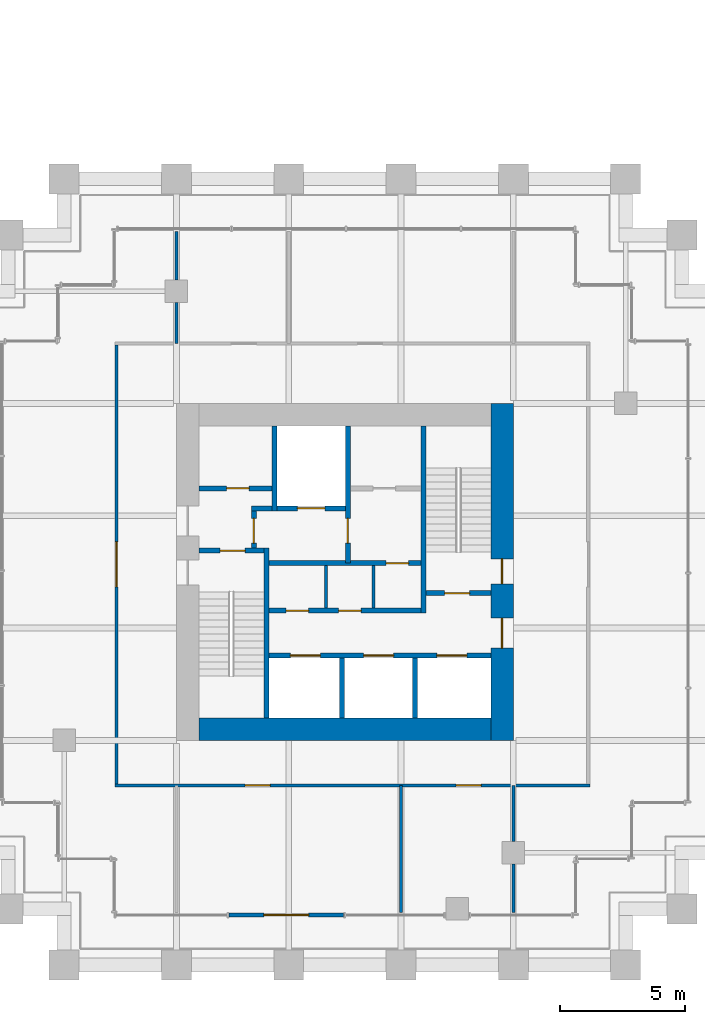
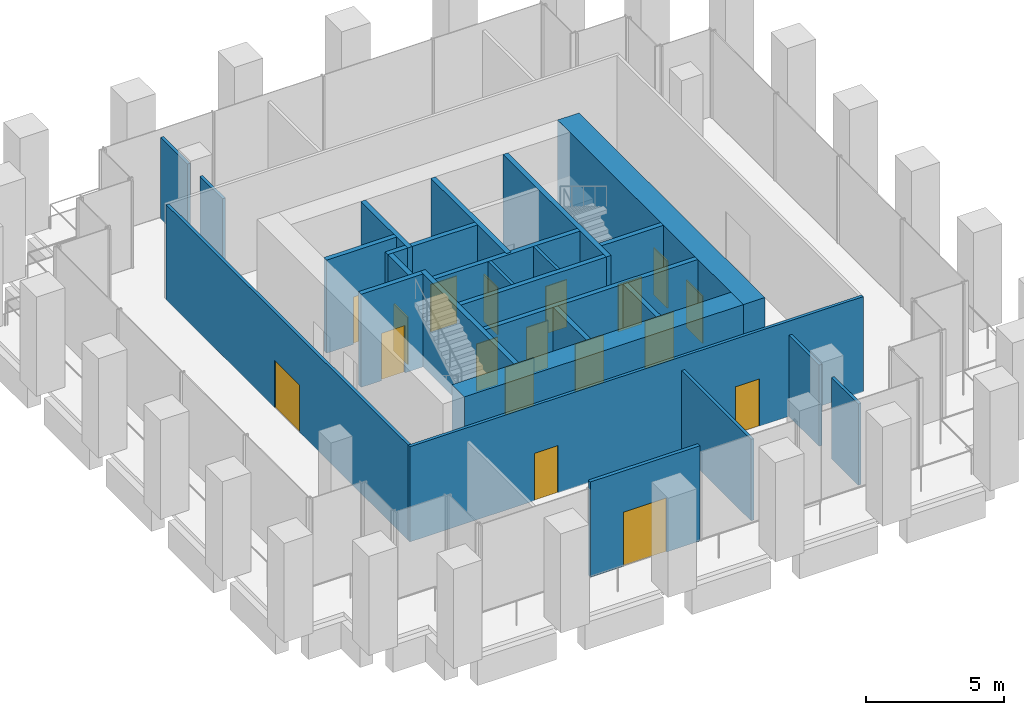
# One storey, part 32 of 36: 27 walls, 18 doors, 18 openings.
"""IFC4 building model written with IfcOpenShell, lengths in metres."""

from ifc_helpers import new_model, si_unit, direction, frame, frame_2d, origin, place, context, subcontext, project, spatial, rectangle, extrude, material, layer, layer_set, type_object, element, fill, save


model = new_model("IFC4")

# Units and contexts
model_context = context("Model", 3, precision=1e-05, world=origin(), true_north=direction((0.0, 1.0)))
body_context = subcontext(model_context, "Body", "Model", "MODEL_VIEW")
ifc_project = project(units=[si_unit("LENGTHUNIT", "METRE"), si_unit("AREAUNIT", "SQUARE_METRE"), si_unit("VOLUMEUNIT", "CUBIC_METRE"), si_unit("PLANEANGLEUNIT", "RADIAN"), si_unit("MASSUNIT", "GRAM", prefix="KILO")], contexts=[model_context])

# Site, building, storey
site_placement = place(None, origin())
site = spatial("IfcSite", under=ifc_project, at=site_placement, CompositionType="ELEMENT")
building_placement = place(site_placement, origin())
building = spatial("IfcBuilding", under=site, at=building_placement, Name="Altepetl Exchange Towers", CompositionType="ELEMENT")
storey_placement = place(building_placement, frame((0.0, 0.0, 29.800048828125)))
storey = spatial("IfcBuildingStorey", under=building, at=storey_placement, Name="L06", CompositionType="ELEMENT", Elevation=29.800048828125)

# Wall, openings, doors
ifc_material_1 = material(Name="Concrete C70/85", Category="concrete")
ifc_layer_1 = layer(ifc_material_1, 0.89990234375)
ifc_layer_set_1 = layer_set([ifc_layer_1], Name="Concrete C70/85")
wall_type_1 = type_object("IfcWallType", Name="Core wall 900 reinforced concrete", PredefinedType="SHEAR", material=ifc_layer_set_1)
wall_1_placement = place(storey_placement, frame((116.550048828125, 36.0, 0.0), z_axis=(0.0, 0.0, 1.0), x_axis=(0.0, 1.0, 0.0)))
wall_1 = element("IfcWall", 1, at=wall_1_placement, inside=storey, type_object=wall_type_1, Name="wall:B:L06:K-coreE", PredefinedType="SHEAR", context=body_context, shape_type="SweptSolid", body=[
    extrude(rectangle(XDim=13.5, YDim=0.89990234375, at=frame_2d((6.75, 0.0))), origin(), (0.0, 0.0, 1.0), 4.125),
])
opening_1_placement = place(wall_1_placement, frame((3.699951171875, 0.0, 0.0)))
opening_1 = element("IfcOpeningElement", 2, at=opening_1_placement, cuts=wall_1, Name="Opening L06.B61", PredefinedType="OPENING", context=body_context, shape_type="SweptSolid", body=[
    extrude(rectangle(XDim=1.199951171875, YDim=2.10009765625, at=frame_2d((0.60009765625, 1.050048828125))), frame((0.0, 0.4599609375, 0.0), z_axis=(0.0, -1.0, 0.0), x_axis=(1.0, 0.0, 0.0)), (0.0, 0.0, 1.0), 0.919921875),
])
opening_2_placement = place(wall_1_placement, frame((6.27490234375, 0.0, 0.0)))
opening_2 = element("IfcOpeningElement", 3, at=opening_2_placement, cuts=wall_1, Name="Opening L06.B65", PredefinedType="OPENING", context=body_context, shape_type="SweptSolid", body=[
    extrude(rectangle(XDim=1.0, YDim=2.10009765625, at=frame_2d((0.5, 1.050048828125))), frame((0.0, 0.4599609375, 0.0), z_axis=(0.0, -1.0, 0.0), x_axis=(1.0, 0.0, 0.0)), (0.0, 0.0, 1.0), 0.919921875),
])
ifc_material_2 = material(Name="Steel and timber fire door", Category="steel")
door_type_1 = type_object("IfcDoorType", Name="Fire door 1000 x 2100 stair and lobby", OperationType="SINGLE_SWING_LEFT", PredefinedType="DOOR", material=ifc_material_2)
door_1_placement = place(opening_2_placement, origin())
door_1 = element("IfcDoor", 4, at=door_1_placement, inside=storey, type_object=door_type_1, Name="door:B:L06:K-dS2x", OperationType="SINGLE_SWING_LEFT", OverallHeight=2.10009765625, OverallWidth=1.0, PredefinedType="DOOR", context=body_context, shape_type="SweptSolid", body=[
    extrude(rectangle(XDim=1.0, YDim=2.10009765625, at=frame_2d((0.5, 1.050048828125))), frame((0.0, 0.02490234375, 0.0), z_axis=(0.0, -1.0, 0.0), x_axis=(1.0, 0.0, 0.0)), (0.0, 0.0, 1.0), 0.050048828125),
])
fill(opening_2, door_1)
door_type_2 = type_object("IfcDoorType", Name="Fire door 1200 x 2100 lobby entry", OperationType="SINGLE_SWING_LEFT", PredefinedType="DOOR", material=ifc_material_2)
door_2_placement = place(opening_1_placement, origin())
door_2 = element("IfcDoor", 5, at=door_2_placement, inside=storey, type_object=door_type_2, Name="door:B:L06:K-dLSE", OperationType="SINGLE_SWING_RIGHT", OverallHeight=2.10009765625, OverallWidth=1.199951171875, PredefinedType="DOOR", context=body_context, shape_type="SweptSolid", body=[
    extrude(rectangle(XDim=1.199951171875, YDim=2.10009765625, at=frame_2d((0.60009765625, 1.050048828125))), frame((0.0, 0.02490234375, 0.0), z_axis=(0.0, -1.0, 0.0), x_axis=(1.0, 0.0, 0.0)), (0.0, 0.0, 1.0), 0.050048828125),
])
fill(opening_1, door_2)

# Wall
wall_2_placement = place(storey_placement, frame((104.39990234375, 36.449951171875, 0.0)))
element("IfcWall", 6, at=wall_2_placement, inside=storey, type_object=wall_type_1, Name="wall:B:L06:K-coreS", PredefinedType="SHEAR", context=body_context, shape_type="SweptSolid", body=[
    extrude(rectangle(XDim=11.7001953125, YDim=0.89990234375, at=frame_2d((5.85009765625, 0.0))), origin(), (0.0, 0.0, 1.0), 4.125),
])

# Wall, opening, door
ifc_material_3 = material(Name="Aluminium composite cladding", Category="aluminium")
ifc_layer_2 = layer(ifc_material_3, 0.14990234375)
ifc_layer_set_2 = layer_set([ifc_layer_2], Name="Aluminium composite cladding")
wall_type_2 = type_object("IfcWallType", Name="Infill wall 150 aluminium panel", PredefinedType="SOLIDWALL", material=ifc_layer_set_2)
wall_3_placement = place(storey_placement, frame((105.60009765625, 29.0, 0.0)))
wall_3 = element("IfcWall", 7, at=wall_3_placement, inside=storey, type_object=wall_type_2, Name="Loggia door bay wall", PredefinedType="SOLIDWALL", context=body_context, shape_type="SweptSolid", body=[
    extrude(rectangle(XDim=4.599853515625, YDim=0.14990234375, at=frame_2d((2.2998046875, 0.0))), origin(), (0.0, 0.0, 1.0), 4.224853515625),
])
opening_3_placement = place(wall_3_placement, frame((1.39990234375, 0.0, 0.0)))
opening_3 = element("IfcOpeningElement", 8, at=opening_3_placement, cuts=wall_3, Name="Opening L06.B90", PredefinedType="OPENING", context=body_context, shape_type="SweptSolid", body=[
    extrude(rectangle(XDim=1.800048828125, YDim=2.39990234375, at=frame_2d((0.89990234375, 1.199951171875))), frame((0.0, 0.0849609375, 0.0), z_axis=(0.0, -1.0, 0.0), x_axis=(1.0, 0.0, 0.0)), (0.0, 0.0, 1.0), 0.169921875),
])
ifc_material_4 = material(Name="Aluminium 6063-T6 and glass", Category="aluminium")
door_type_3 = type_object("IfcDoorType", Name="Glazed door pair 1800x2400", OperationType="DOUBLE_DOOR_DOUBLE_SWING", PredefinedType="NOTDEFINED", material=ifc_material_4)
door_3_placement = place(opening_3_placement, frame((1.800048828125, 0.0, 0.0), x_axis=(-1.0, 0.0, 0.0)))
door_3 = element("IfcDoor", 9, at=door_3_placement, inside=storey, type_object=door_type_3, Name="Loggia door", OperationType="DOUBLE_DOOR_DOUBLE_SWING", OverallHeight=2.39990234375, OverallWidth=1.800048828125, PredefinedType="NOTDEFINED", context=body_context, shape_type="SweptSolid", body=[
    extrude(rectangle(XDim=1.800048828125, YDim=2.39990234375, at=frame_2d((0.89990234375, 1.199951171875))), frame((0.0, 0.02490234375, 0.0), z_axis=(0.0, -1.0, 0.0), x_axis=(1.0, 0.0, 0.0)), (0.0, 0.0, 1.0), 0.050048828125),
])
fill(opening_3, door_3)

# Wall
ifc_material_5 = material(Name="Concrete blockwork", Category="masonry")
ifc_layer_3 = layer(ifc_material_5, 0.199951171875)
ifc_layer_set_3 = layer_set([ifc_layer_3], Name="Concrete blockwork")
wall_type_3 = type_object("IfcWallType", Name="Lobby wall 200 blockwork", PredefinedType="PARTITIONING", material=ifc_layer_set_3)
wall_4_placement = place(storey_placement, frame((106.5, 45.300048828125, 0.0)))
element("IfcWall", 10, at=wall_4_placement, inside=storey, type_object=wall_type_3, Name="wall:B:L06:K-ffNw", PredefinedType="PARTITIONING", context=body_context, shape_type="SweptSolid", body=[
    extrude(rectangle(XDim=0.833251953125, YDim=0.199951171875, at=frame_2d((0.41650390625, 0.0))), origin(), (0.0, 0.0, 1.0), 4.125),
])

# Wall, opening, door
wall_5_placement = place(storey_placement, frame((106.60009765625, 43.699951171875, 0.0), z_axis=(0.0, 0.0, 1.0), x_axis=(0.0, 1.0, 0.0)))
wall_5 = element("IfcWall", 11, at=wall_5_placement, inside=storey, type_object=wall_type_3, Name="wall:B:L06:K-ffW", PredefinedType="PARTITIONING", context=body_context, shape_type="SweptSolid", body=[
    extrude(rectangle(XDim=1.5, YDim=0.199951171875, at=frame_2d((0.75, 0.0))), origin(), (0.0, 0.0, 1.0), 4.125),
])
opening_4_placement = place(wall_5_placement, frame((0.199951171875, 0.0, 0.0)))
opening_4 = element("IfcOpeningElement", 12, at=opening_4_placement, cuts=wall_5, Name="Opening L06.B67", PredefinedType="OPENING", context=body_context, shape_type="SweptSolid", body=[
    extrude(rectangle(XDim=1.0, YDim=2.10009765625, at=frame_2d((0.5, 1.050048828125))), frame((0.0, 0.10986328125, 0.0), z_axis=(0.0, -1.0, 0.0), x_axis=(1.0, 0.0, 0.0)), (0.0, 0.0, 1.0), 0.219970703125),
])
door_4_placement = place(opening_4_placement, frame((1.0, 0.0, 0.0), x_axis=(-1.0, 0.0, 0.0)))
door_4 = element("IfcDoor", 13, at=door_4_placement, inside=storey, type_object=door_type_1, Name="door:B:L06:K-dffW", OperationType="SINGLE_SWING_LEFT", OverallHeight=2.10009765625, OverallWidth=1.0, PredefinedType="DOOR", context=body_context, shape_type="SweptSolid", body=[
    extrude(rectangle(XDim=1.0, YDim=2.10009765625, at=frame_2d((0.5, 1.050048828125))), frame((0.0, 0.02490234375, 0.0), z_axis=(0.0, -1.0, 0.0), x_axis=(1.0, 0.0, 0.0)), (0.0, 0.0, 1.0), 0.050048828125),
])
fill(opening_4, door_4)

wall_6_placement = place(storey_placement, frame((107.199951171875, 43.10009765625, 0.0)))
wall_6 = element("IfcWall", 14, at=wall_6_placement, inside=storey, type_object=wall_type_3, Name="wall:B:L06:K-zoneN", PredefinedType="PARTITIONING", context=body_context, shape_type="SweptSolid", body=[
    extrude(rectangle(XDim=6.10009765625, YDim=0.199951171875, at=frame_2d((3.050048828125, 0.0))), origin(), (0.0, 0.0, 1.0), 4.125),
])
opening_5_placement = place(wall_6_placement, frame((4.699951171875, 0.0, 0.0)))
opening_5 = element("IfcOpeningElement", 15, at=opening_5_placement, cuts=wall_6, Name="Opening L06.B72", PredefinedType="OPENING", context=body_context, shape_type="SweptSolid", body=[
    extrude(rectangle(XDim=0.89990234375, YDim=2.10009765625, at=frame_2d((0.449951171875, 1.050048828125))), frame((0.0, 0.10986328125, 0.0), z_axis=(0.0, -1.0, 0.0), x_axis=(1.0, 0.0, 0.0)), (0.0, 0.0, 1.0), 0.219970703125),
])
door_type_4 = type_object("IfcDoorType", Name="Fire door 900 x 2100 service room", OperationType="SINGLE_SWING_LEFT", PredefinedType="DOOR", material=ifc_material_2)
door_5_placement = place(opening_5_placement, frame((0.89990234375, 0.0, 0.0), x_axis=(-1.0, 0.0, 0.0)))
door_5 = element("IfcDoor", 16, at=door_5_placement, inside=storey, type_object=door_type_4, Name="door:B:L06:K-dz3", OperationType="SINGLE_SWING_RIGHT", OverallHeight=2.10009765625, OverallWidth=0.89990234375, PredefinedType="DOOR", context=body_context, shape_type="SweptSolid", body=[
    extrude(rectangle(XDim=0.89990234375, YDim=2.10009765625, at=frame_2d((0.449951171875, 1.050048828125))), frame((0.0, 0.02490234375, 0.0), z_axis=(0.0, -1.0, 0.0), x_axis=(1.0, 0.0, 0.0)), (0.0, 0.0, 1.0), 0.050048828125),
])
fill(opening_5, door_5)

# Wall, openings, doors
wall_7_placement = place(storey_placement, frame((107.199951171875, 41.199951171875, 0.0)))
wall_7 = element("IfcWall", 17, at=wall_7_placement, inside=storey, type_object=wall_type_3, Name="wall:B:L06:K-zoneS", PredefinedType="PARTITIONING", context=body_context, shape_type="SweptSolid", body=[
    extrude(rectangle(XDim=6.10009765625, YDim=0.199951171875, at=frame_2d((3.050048828125, 0.0))), origin(), (0.0, 0.0, 1.0), 4.125),
])
opening_6_placement = place(wall_7_placement, frame((0.699951171875, 0.0, 0.0)))
opening_6 = element("IfcOpeningElement", 18, at=opening_6_placement, cuts=wall_7, Name="Opening L06.B70", PredefinedType="OPENING", context=body_context, shape_type="SweptSolid", body=[
    extrude(rectangle(XDim=0.89990234375, YDim=2.10009765625, at=frame_2d((0.449951171875, 1.050048828125))), frame((0.0, 0.10986328125, 0.0), z_axis=(0.0, -1.0, 0.0), x_axis=(1.0, 0.0, 0.0)), (0.0, 0.0, 1.0), 0.219970703125),
])
opening_7_placement = place(wall_7_placement, frame((2.800048828125, 0.0, 0.0)))
opening_7 = element("IfcOpeningElement", 19, at=opening_7_placement, cuts=wall_7, Name="Opening L06.B71", PredefinedType="OPENING", context=body_context, shape_type="SweptSolid", body=[
    extrude(rectangle(XDim=0.89990234375, YDim=2.10009765625, at=frame_2d((0.449951171875, 1.050048828125))), frame((0.0, 0.10986328125, 0.0), z_axis=(0.0, -1.0, 0.0), x_axis=(1.0, 0.0, 0.0)), (0.0, 0.0, 1.0), 0.219970703125),
])
door_6_placement = place(opening_6_placement, origin())
door_6 = element("IfcDoor", 20, at=door_6_placement, inside=storey, type_object=door_type_4, Name="door:B:L06:K-dz1", OperationType="SINGLE_SWING_RIGHT", OverallHeight=2.10009765625, OverallWidth=0.89990234375, PredefinedType="DOOR", context=body_context, shape_type="SweptSolid", body=[
    extrude(rectangle(XDim=0.89990234375, YDim=2.10009765625, at=frame_2d((0.449951171875, 1.050048828125))), frame((0.0, 0.02490234375, 0.0), z_axis=(0.0, -1.0, 0.0), x_axis=(1.0, 0.0, 0.0)), (0.0, 0.0, 1.0), 0.050048828125),
])
fill(opening_6, door_6)
door_7_placement = place(opening_7_placement, origin())
door_7 = element("IfcDoor", 21, at=door_7_placement, inside=storey, type_object=door_type_4, Name="door:B:L06:K-dz2", OperationType="SINGLE_SWING_RIGHT", OverallHeight=2.10009765625, OverallWidth=0.89990234375, PredefinedType="DOOR", context=body_context, shape_type="SweptSolid", body=[
    extrude(rectangle(XDim=0.89990234375, YDim=2.10009765625, at=frame_2d((0.449951171875, 1.050048828125))), frame((0.0, 0.02490234375, 0.0), z_axis=(0.0, -1.0, 0.0), x_axis=(1.0, 0.0, 0.0)), (0.0, 0.0, 1.0), 0.050048828125),
])
fill(opening_7, door_7)

# Walls
ifc_material_6 = material(Name="Gypsum board on steel studs", Category="steel")
ifc_layer_4 = layer(ifc_material_6, 0.125)
ifc_layer_set_4 = layer_set([ifc_layer_4], Name="Gypsum board on steel studs")
wall_type_4 = type_object("IfcWallType", Name="Partition 125 gypsum board on steel studs", PredefinedType="PARTITIONING", material=ifc_layer_set_4)
for number, where, z_axis, x_axis, name in (
    (22, (109.5, 41.300048828125, 0.0), (0.0, 0.0, 1.0), (0.0, 1.0, 0.0), "wall:B:L06:K-zp1"),
    (23, (111.39990234375, 41.300048828125, 0.0), (0.0, 0.0, 1.0), (0.0, 1.0, 0.0), "wall:B:L06:K-zp2"),
):
    element("IfcWall", number, at=place(storey_placement, frame(where, z_axis=z_axis, x_axis=x_axis)), inside=storey, type_object=wall_type_4, Name=name, PredefinedType="PARTITIONING", context=body_context, shape_type="SweptSolid", body=[
        extrude(rectangle(XDim=1.699951171875, YDim=0.125, at=frame_2d((0.85009765625, 0.0))), origin(), (0.0, 0.0, 1.0), 4.125),
    ])

# Wall, openings, doors
wall_8_placement = place(storey_placement, frame((101.03759765625, 34.199951171875, 0.0)))
wall_8 = element("IfcWall", 24, at=wall_8_placement, inside=storey, type_object=wall_type_4, Name="wall:B:L06:P01", PredefinedType="PARTITIONING", context=body_context, shape_type="SweptSolid", body=[
    extrude(rectangle(XDim=19.02490234375, YDim=0.125, at=frame_2d((9.512451171875, 0.0))), origin(), (0.0, 0.0, 1.0), 4.224853515625),
])
opening_8_placement = place(wall_8_placement, frame((5.219482421875, 0.0, 0.0)))
opening_8 = element("IfcOpeningElement", 25, at=opening_8_placement, cuts=wall_8, Name="Opening L06.B02", PredefinedType="OPENING", context=body_context, shape_type="SweptSolid", body=[
    extrude(rectangle(XDim=1.0, YDim=2.10009765625, at=frame_2d((0.5, 1.050048828125))), frame((0.0, 0.072509765625, 0.0), z_axis=(0.0, -1.0, 0.0), x_axis=(1.0, 0.0, 0.0)), (0.0, 0.0, 1.0), 0.14501953125),
])
opening_9_placement = place(wall_8_placement, frame((13.66748046875, 0.0, 0.0)))
opening_9 = element("IfcOpeningElement", 26, at=opening_9_placement, cuts=wall_8, Name="Opening L06.B03", PredefinedType="OPENING", context=body_context, shape_type="SweptSolid", body=[
    extrude(rectangle(XDim=1.0, YDim=2.10009765625, at=frame_2d((0.5, 1.050048828125))), frame((0.0, 0.072509765625, 0.0), z_axis=(0.0, -1.0, 0.0), x_axis=(1.0, 0.0, 0.0)), (0.0, 0.0, 1.0), 0.14501953125),
])
door_type_5 = type_object("IfcDoorType", Name="Fire door 1000 x 2100 single leaf", OperationType="SINGLE_SWING_LEFT", PredefinedType="DOOR", material=ifc_material_2)
door_8_placement = place(opening_8_placement, frame((1.0, 0.0, 0.0), x_axis=(-1.0, 0.0, 0.0)))
door_8 = element("IfcDoor", 27, at=door_8_placement, inside=storey, type_object=door_type_5, Name="door:B:L06:02", OperationType="SINGLE_SWING_RIGHT", OverallHeight=2.10009765625, OverallWidth=1.0, PredefinedType="DOOR", context=body_context, shape_type="SweptSolid", body=[
    extrude(rectangle(XDim=1.0, YDim=2.10009765625, at=frame_2d((0.5, 1.050048828125))), frame((0.0, 0.02490234375, 0.0), z_axis=(0.0, -1.0, 0.0), x_axis=(1.0, 0.0, 0.0)), (0.0, 0.0, 1.0), 0.050048828125),
])
fill(opening_8, door_8)
door_9_placement = place(opening_9_placement, frame((1.0, 0.0, 0.0), x_axis=(-1.0, 0.0, 0.0)))
door_9 = element("IfcDoor", 28, at=door_9_placement, inside=storey, type_object=door_type_5, Name="door:B:L06:03", OperationType="SINGLE_SWING_LEFT", OverallHeight=2.10009765625, OverallWidth=1.0, PredefinedType="DOOR", context=body_context, shape_type="SweptSolid", body=[
    extrude(rectangle(XDim=1.0, YDim=2.10009765625, at=frame_2d((0.5, 1.050048828125))), frame((0.0, 0.02490234375, 0.0), z_axis=(0.0, -1.0, 0.0), x_axis=(1.0, 0.0, 0.0)), (0.0, 0.0, 1.0), 0.050048828125),
])
fill(opening_9, door_9)

# Wall, opening, door
wall_9_placement = place(storey_placement, frame((101.10009765625, 34.262451171875, 0.0), z_axis=(0.0, 0.0, 1.0), x_axis=(0.0, 1.0, 0.0)))
wall_9 = element("IfcWall", 29, at=wall_9_placement, inside=storey, type_object=wall_type_4, Name="wall:B:L06:P03", PredefinedType="PARTITIONING", context=body_context, shape_type="SweptSolid", body=[
    extrude(rectangle(XDim=17.574951171875, YDim=0.125, at=frame_2d((8.78759765625, 0.0))), origin(), (0.0, 0.0, 1.0), 4.224853515625),
])
opening_10_placement = place(wall_9_placement, frame((7.887451171875, 0.0, 0.0)))
opening_10 = element("IfcOpeningElement", 30, at=opening_10_placement, cuts=wall_9, Name="Opening L06.B01", PredefinedType="OPENING", context=body_context, shape_type="SweptSolid", body=[
    extrude(rectangle(XDim=1.800048828125, YDim=2.10009765625, at=frame_2d((0.89990234375, 1.050048828125))), frame((0.0, 0.072509765625, 0.0), z_axis=(0.0, -1.0, 0.0), x_axis=(1.0, 0.0, 0.0)), (0.0, 0.0, 1.0), 0.14501953125),
])
door_type_6 = type_object("IfcDoorType", Name="Fire door 1800 x 2100 double leaf", OperationType="DOUBLE_DOOR_SINGLE_SWING", PredefinedType="DOOR", material=ifc_material_2)
door_10_placement = place(opening_10_placement, origin())
door_10 = element("IfcDoor", 31, at=door_10_placement, inside=storey, type_object=door_type_6, Name="door:B:L06:01", OperationType="DOUBLE_DOOR_SINGLE_SWING", OverallHeight=2.10009765625, OverallWidth=1.800048828125, PredefinedType="DOOR", context=body_context, shape_type="SweptSolid", body=[
    extrude(rectangle(XDim=1.800048828125, YDim=2.10009765625, at=frame_2d((0.89990234375, 1.050048828125))), frame((0.0, 0.02490234375, 0.0), z_axis=(0.0, -1.0, 0.0), x_axis=(1.0, 0.0, 0.0)), (0.0, 0.0, 1.0), 0.050048828125),
])
fill(opening_10, door_10)

# Walls
wall_10_placement = place(storey_placement, frame((103.5, 51.89990234375, 0.0), z_axis=(0.0, 0.0, 1.0), x_axis=(0.0, 1.0, 0.0)))
element("IfcWall", 32, at=wall_10_placement, inside=storey, type_object=wall_type_4, Name="wall:B:L06:P05", PredefinedType="PARTITIONING", context=body_context, shape_type="SweptSolid", body=[
    extrude(rectangle(XDim=1.650146484375, YDim=0.125, at=frame_2d((0.8251953125, 0.0))), origin(), (0.0, 0.0, 1.0), 3.60205078125),
])
wall_11_placement = place(storey_placement, frame((103.5, 54.449951171875, 0.0), z_axis=(0.0, 0.0, 1.0), x_axis=(0.0, 1.0, 0.0)))
element("IfcWall", 33, at=wall_11_placement, inside=storey, type_object=wall_type_4, Name="wall:B:L06:P06", PredefinedType="PARTITIONING", context=body_context, shape_type="SweptSolid", body=[
    extrude(rectangle(XDim=1.949951171875, YDim=0.125, at=frame_2d((0.97509765625, 0.0))), origin(), (0.0, 0.0, 1.0), 3.60205078125),
])
wall_12_placement = place(storey_placement, frame((112.5, 29.10009765625, 0.0), z_axis=(0.0, 0.0, 1.0), x_axis=(0.0, 1.0, 0.0)))
element("IfcWall", 34, at=wall_12_placement, inside=storey, type_object=wall_type_4, Name="wall:B:L06:P08", PredefinedType="PARTITIONING", context=body_context, shape_type="SweptSolid", body=[
    extrude(rectangle(XDim=5.099853515625, YDim=0.125, at=frame_2d((2.5498046875, 0.0))), origin(), (0.0, 0.0, 1.0), 3.613037109375),
])
wall_13_placement = place(storey_placement, frame((117.0, 29.10009765625, 0.0), z_axis=(0.0, 0.0, 1.0), x_axis=(0.0, 1.0, 0.0)))
element("IfcWall", 35, at=wall_13_placement, inside=storey, type_object=wall_type_4, Name="wall:B:L06:P09", PredefinedType="PARTITIONING", context=body_context, shape_type="SweptSolid", body=[
    extrude(rectangle(XDim=1.949951171875, YDim=0.125, at=frame_2d((0.97509765625, 0.0))), origin(), (0.0, 0.0, 1.0), 3.60205078125),
])
wall_14_placement = place(storey_placement, frame((117.0, 31.949951171875, 0.0), z_axis=(0.0, 0.0, 1.0), x_axis=(0.0, 1.0, 0.0)))
element("IfcWall", 36, at=wall_14_placement, inside=storey, type_object=wall_type_4, Name="wall:B:L06:P10", PredefinedType="PARTITIONING", context=body_context, shape_type="SweptSolid", body=[
    extrude(rectangle(XDim=2.25, YDim=0.125, at=frame_2d((1.125, 0.0))), origin(), (0.0, 0.0, 1.0), 3.60205078125),
])
ifc_material_7 = material(Name="Concrete C40/50", Category="concrete")
ifc_layer_5 = layer(ifc_material_7, 0.199951171875)
ifc_layer_set_5 = layer_set([ifc_layer_5], Name="Concrete C40/50")
wall_type_5 = type_object("IfcWallType", Name="Shaft wall 200 reinforced concrete", PredefinedType="SHEAR", material=ifc_layer_set_5)
wall_15_placement = place(storey_placement, frame((107.433349609375, 48.60009765625, 0.0), z_axis=(0.0, 0.0, 1.0), x_axis=(0.0, -1.0, 0.0)))
element("IfcWall", 37, at=wall_15_placement, inside=storey, type_object=wall_type_5, Name="wall:B:L06:K-divN1", PredefinedType="SHEAR", context=body_context, shape_type="SweptSolid", body=[
    extrude(rectangle(XDim=3.400146484375, YDim=0.199951171875, at=frame_2d((1.7001953125, 0.0))), origin(), (0.0, 0.0, 1.0), 4.125),
])

# Wall, opening, door
wall_16_placement = place(storey_placement, frame((110.36669921875, 48.60009765625, 0.0), z_axis=(0.0, 0.0, 1.0), x_axis=(0.0, -1.0, 0.0)))
wall_16 = element("IfcWall", 38, at=wall_16_placement, inside=storey, type_object=wall_type_5, Name="wall:B:L06:K-divN2", PredefinedType="SHEAR", context=body_context, shape_type="SweptSolid", body=[
    extrude(rectangle(XDim=5.5, YDim=0.199951171875, at=frame_2d((2.75, 0.0))), origin(), (0.0, 0.0, 1.0), 4.125),
])
opening_11_placement = place(wall_16_placement, frame((3.699951171875, 0.0, 0.0)))
opening_11 = element("IfcOpeningElement", 39, at=opening_11_placement, cuts=wall_16, Name="Opening L06.B66", PredefinedType="OPENING", context=body_context, shape_type="SweptSolid", body=[
    extrude(rectangle(XDim=1.0, YDim=2.10009765625, at=frame_2d((0.5, 1.050048828125))), frame((0.0, 0.10986328125, 0.0), z_axis=(0.0, -1.0, 0.0), x_axis=(1.0, 0.0, 0.0)), (0.0, 0.0, 1.0), 0.219970703125),
])
door_11_placement = place(opening_11_placement, frame((1.0, 0.0, 0.0), x_axis=(-1.0, 0.0, 0.0)))
door_11 = element("IfcDoor", 40, at=door_11_placement, inside=storey, type_object=door_type_1, Name="door:B:L06:K-dffE", OperationType="SINGLE_SWING_RIGHT", OverallHeight=2.10009765625, OverallWidth=1.0, PredefinedType="DOOR", context=body_context, shape_type="SweptSolid", body=[
    extrude(rectangle(XDim=1.0, YDim=2.10009765625, at=frame_2d((0.5, 1.050048828125))), frame((0.0, 0.02490234375, 0.0), z_axis=(0.0, -1.0, 0.0), x_axis=(1.0, 0.0, 0.0)), (0.0, 0.0, 1.0), 0.050048828125),
])
fill(opening_11, door_11)

# Walls
for number, where, z_axis, x_axis, name in (
    (41, (110.13330078125, 36.89990234375, 0.0), (0.0, 0.0, 1.0), (0.0, 1.0, 0.0), "wall:B:L06:K-divS1"),
    (42, (113.066650390625, 36.89990234375, 0.0), (0.0, 0.0, 1.0), (0.0, 1.0, 0.0), "wall:B:L06:K-divS2"),
):
    element("IfcWall", number, at=place(storey_placement, frame(where, z_axis=z_axis, x_axis=x_axis)), inside=storey, type_object=wall_type_5, Name=name, PredefinedType="SHEAR", context=body_context, shape_type="SweptSolid", body=[
        extrude(rectangle(XDim=2.400146484375, YDim=0.199951171875, at=frame_2d((1.2001953125, 0.0))), origin(), (0.0, 0.0, 1.0), 4.125),
    ])

# Wall, opening, door
wall_17_placement = place(storey_placement, frame((104.39990234375, 46.10009765625, 0.0)))
wall_17 = element("IfcWall", 43, at=wall_17_placement, inside=storey, type_object=wall_type_5, Name="wall:B:L06:K-frontNa", PredefinedType="SHEAR", context=body_context, shape_type="SweptSolid", body=[
    extrude(rectangle(XDim=2.933349609375, YDim=0.199951171875, at=frame_2d((1.466796875, 0.0))), origin(), (0.0, 0.0, 1.0), 4.125),
])
opening_12_placement = place(wall_17_placement, frame((1.11669921875, 0.0, 0.0)))
opening_12 = element("IfcOpeningElement", 44, at=opening_12_placement, cuts=wall_17, Name="Opening L06.B68", PredefinedType="OPENING", context=body_context, shape_type="SweptSolid", body=[
    extrude(rectangle(XDim=0.89990234375, YDim=2.10009765625, at=frame_2d((0.449951171875, 1.050048828125))), frame((0.0, 0.10986328125, 0.0), z_axis=(0.0, -1.0, 0.0), x_axis=(1.0, 0.0, 0.0)), (0.0, 0.0, 1.0), 0.219970703125),
])
door_12_placement = place(opening_12_placement, origin())
door_12 = element("IfcDoor", 45, at=door_12_placement, inside=storey, type_object=door_type_4, Name="door:B:L06:K-dslotN0", OperationType="SINGLE_SWING_RIGHT", OverallHeight=2.10009765625, OverallWidth=0.89990234375, PredefinedType="DOOR", context=body_context, shape_type="SweptSolid", body=[
    extrude(rectangle(XDim=0.89990234375, YDim=2.10009765625, at=frame_2d((0.449951171875, 1.050048828125))), frame((0.0, 0.02490234375, 0.0), z_axis=(0.0, -1.0, 0.0), x_axis=(1.0, 0.0, 0.0)), (0.0, 0.0, 1.0), 0.050048828125),
])
fill(opening_12, door_12)

wall_18_placement = place(storey_placement, frame((107.533203125, 45.300048828125, 0.0)))
wall_18 = element("IfcWall", 46, at=wall_18_placement, inside=storey, type_object=wall_type_5, Name="wall:B:L06:K-frontNd", PredefinedType="SHEAR", context=body_context, shape_type="SweptSolid", body=[
    extrude(rectangle(XDim=2.7333984375, YDim=0.199951171875, at=frame_2d((1.36669921875, 0.0))), origin(), (0.0, 0.0, 1.0), 4.125),
])
opening_13_placement = place(wall_18_placement, frame((0.816650390625, 0.0, 0.0)))
opening_13 = element("IfcOpeningElement", 47, at=opening_13_placement, cuts=wall_18, Name="Opening L06.B73", PredefinedType="OPENING", context=body_context, shape_type="SweptSolid", body=[
    extrude(rectangle(XDim=1.10009765625, YDim=2.10009765625, at=frame_2d((0.550048828125, 1.050048828125))), frame((0.0, 0.10986328125, 0.0), z_axis=(0.0, -1.0, 0.0), x_axis=(1.0, 0.0, 0.0)), (0.0, 0.0, 1.0), 0.219970703125),
])
ifc_material_8 = material(Name="Stainless steel", Category="steel")
door_type_7 = type_object("IfcDoorType", Name="Lift landing door 1100 x 2100", OperationType="SLIDING_TO_LEFT", PredefinedType="DOOR", material=ifc_material_8)
door_13_placement = place(opening_13_placement, origin())
door_13 = element("IfcDoor", 48, at=door_13_placement, inside=storey, type_object=door_type_7, Name="Landing door FFL1", OperationType="SLIDING_TO_LEFT", OverallHeight=2.10009765625, OverallWidth=1.10009765625, PredefinedType="DOOR", context=body_context, shape_type="SweptSolid", body=[
    extrude(rectangle(XDim=1.10009765625, YDim=2.10009765625, at=frame_2d((0.550048828125, 1.050048828125))), frame((0.0, 0.02490234375, 0.0), z_axis=(0.0, -1.0, 0.0), x_axis=(1.0, 0.0, 0.0)), (0.0, 0.0, 1.0), 0.050048828125),
])
fill(opening_13, door_13)

# Wall, openings, doors
wall_19_placement = place(storey_placement, frame((107.199951171875, 39.39990234375, 0.0)))
wall_19 = element("IfcWall", 49, at=wall_19_placement, inside=storey, type_object=wall_type_5, Name="wall:B:L06:K-frontS", PredefinedType="SHEAR", context=body_context, shape_type="SweptSolid", body=[
    extrude(rectangle(XDim=8.900146484375, YDim=0.199951171875, at=frame_2d((4.4501953125, 0.0))), origin(), (0.0, 0.0, 1.0), 4.125),
])
opening_14_placement = place(wall_19_placement, frame((0.86669921875, 0.0, 0.0)))
opening_14 = element("IfcOpeningElement", 50, at=opening_14_placement, cuts=wall_19, Name="Opening L06.B74", PredefinedType="OPENING", context=body_context, shape_type="SweptSolid", body=[
    extrude(rectangle(XDim=1.199951171875, YDim=2.10009765625, at=frame_2d((0.60009765625, 1.050048828125))), frame((0.0, 0.10986328125, 0.0), z_axis=(0.0, -1.0, 0.0), x_axis=(1.0, 0.0, 0.0)), (0.0, 0.0, 1.0), 0.219970703125),
])
opening_15_placement = place(wall_19_placement, frame((3.800048828125, 0.0, 0.0)))
opening_15 = element("IfcOpeningElement", 51, at=opening_15_placement, cuts=wall_19, Name="Opening L06.B75", PredefinedType="OPENING", context=body_context, shape_type="SweptSolid", body=[
    extrude(rectangle(XDim=1.199951171875, YDim=2.10009765625, at=frame_2d((0.60009765625, 1.050048828125))), frame((0.0, 0.10986328125, 0.0), z_axis=(0.0, -1.0, 0.0), x_axis=(1.0, 0.0, 0.0)), (0.0, 0.0, 1.0), 0.219970703125),
])
opening_16_placement = place(wall_19_placement, frame((6.7333984375, 0.0, 0.0)))
opening_16 = element("IfcOpeningElement", 52, at=opening_16_placement, cuts=wall_19, Name="Opening L06.B76", PredefinedType="OPENING", context=body_context, shape_type="SweptSolid", body=[
    extrude(rectangle(XDim=1.199951171875, YDim=2.10009765625, at=frame_2d((0.60009765625, 1.050048828125))), frame((0.0, 0.10986328125, 0.0), z_axis=(0.0, -1.0, 0.0), x_axis=(1.0, 0.0, 0.0)), (0.0, 0.0, 1.0), 0.219970703125),
])
door_type_8 = type_object("IfcDoorType", Name="Lift landing door 1200 x 2100", OperationType="SLIDING_TO_LEFT", PredefinedType="DOOR", material=ifc_material_8)
door_14_placement = place(opening_14_placement, origin())
door_14 = element("IfcDoor", 53, at=door_14_placement, inside=storey, type_object=door_type_8, Name="Landing door P1", OperationType="SLIDING_TO_LEFT", OverallHeight=2.10009765625, OverallWidth=1.199951171875, PredefinedType="DOOR", context=body_context, shape_type="SweptSolid", body=[
    extrude(rectangle(XDim=1.199951171875, YDim=2.10009765625, at=frame_2d((0.60009765625, 1.050048828125))), frame((0.0, 0.02490234375, 0.0), z_axis=(0.0, -1.0, 0.0), x_axis=(1.0, 0.0, 0.0)), (0.0, 0.0, 1.0), 0.050048828125),
])
fill(opening_14, door_14)
door_15_placement = place(opening_15_placement, origin())
door_15 = element("IfcDoor", 54, at=door_15_placement, inside=storey, type_object=door_type_8, Name="Landing door P2", OperationType="SLIDING_TO_LEFT", OverallHeight=2.10009765625, OverallWidth=1.199951171875, PredefinedType="DOOR", context=body_context, shape_type="SweptSolid", body=[
    extrude(rectangle(XDim=1.199951171875, YDim=2.10009765625, at=frame_2d((0.60009765625, 1.050048828125))), frame((0.0, 0.02490234375, 0.0), z_axis=(0.0, -1.0, 0.0), x_axis=(1.0, 0.0, 0.0)), (0.0, 0.0, 1.0), 0.050048828125),
])
fill(opening_15, door_15)
door_16_placement = place(opening_16_placement, origin())
door_16 = element("IfcDoor", 55, at=door_16_placement, inside=storey, type_object=door_type_8, Name="Landing door P3", OperationType="SLIDING_TO_LEFT", OverallHeight=2.10009765625, OverallWidth=1.199951171875, PredefinedType="DOOR", context=body_context, shape_type="SweptSolid", body=[
    extrude(rectangle(XDim=1.199951171875, YDim=2.10009765625, at=frame_2d((0.60009765625, 1.050048828125))), frame((0.0, 0.02490234375, 0.0), z_axis=(0.0, -1.0, 0.0), x_axis=(1.0, 0.0, 0.0)), (0.0, 0.0, 1.0), 0.050048828125),
])
fill(opening_16, door_16)

# Wall
ifc_layer_6 = layer(ifc_material_7, 0.199951171875)
ifc_layer_set_6 = layer_set([ifc_layer_6], Name="Concrete C40/50")
wall_type_6 = type_object("IfcWallType", Name="Stair wall 200 reinforced concrete", PredefinedType="SHEAR", material=ifc_layer_set_6)
wall_20_placement = place(storey_placement, frame((107.10009765625, 36.89990234375, 0.0), z_axis=(0.0, 0.0, 1.0), x_axis=(0.0, 1.0, 0.0)))
element("IfcWall", 56, at=wall_20_placement, inside=storey, type_object=wall_type_6, Name="wall:B:L06:K-stS1E", PredefinedType="SHEAR", context=body_context, shape_type="SweptSolid", body=[
    extrude(rectangle(XDim=6.800048828125, YDim=0.199951171875, at=frame_2d((3.39990234375, 0.0))), origin(), (0.0, 0.0, 1.0), 4.125),
])

# Wall, opening, door
wall_21_placement = place(storey_placement, frame((104.39990234375, 43.60009765625, 0.0)))
wall_21 = element("IfcWall", 57, at=wall_21_placement, inside=storey, type_object=wall_type_6, Name="wall:B:L06:K-stS1N", PredefinedType="SHEAR", context=body_context, shape_type="SweptSolid", body=[
    extrude(rectangle(XDim=2.60009765625, YDim=0.199951171875, at=frame_2d((1.300048828125, 0.0))), origin(), (0.0, 0.0, 1.0), 4.125),
])
opening_17_placement = place(wall_21_placement, frame((0.85009765625, 0.0, 0.0)))
opening_17 = element("IfcOpeningElement", 58, at=opening_17_placement, cuts=wall_21, Name="Opening L06.B62", PredefinedType="OPENING", context=body_context, shape_type="SweptSolid", body=[
    extrude(rectangle(XDim=1.0, YDim=2.10009765625, at=frame_2d((0.5, 1.050048828125))), frame((0.0, 0.10986328125, 0.0), z_axis=(0.0, -1.0, 0.0), x_axis=(1.0, 0.0, 0.0)), (0.0, 0.0, 1.0), 0.219970703125),
])
door_17_placement = place(opening_17_placement, frame((1.0, 0.0, 0.0), x_axis=(-1.0, 0.0, 0.0)))
door_17 = element("IfcDoor", 59, at=door_17_placement, inside=storey, type_object=door_type_1, Name="door:B:L06:K-dS1in", OperationType="SINGLE_SWING_LEFT", OverallHeight=2.10009765625, OverallWidth=1.0, PredefinedType="DOOR", context=body_context, shape_type="SweptSolid", body=[
    extrude(rectangle(XDim=1.0, YDim=2.10009765625, at=frame_2d((0.5, 1.050048828125))), frame((0.0, 0.02490234375, 0.0), z_axis=(0.0, -1.0, 0.0), x_axis=(1.0, 0.0, 0.0)), (0.0, 0.0, 1.0), 0.050048828125),
])
fill(opening_17, door_17)

wall_22_placement = place(storey_placement, frame((113.5, 41.89990234375, 0.0)))
wall_22 = element("IfcWall", 60, at=wall_22_placement, inside=storey, type_object=wall_type_6, Name="wall:B:L06:K-stS2S", PredefinedType="SHEAR", context=body_context, shape_type="SweptSolid", body=[
    extrude(rectangle(XDim=2.60009765625, YDim=0.199951171875, at=frame_2d((1.300048828125, 0.0))), origin(), (0.0, 0.0, 1.0), 4.125),
])
opening_18_placement = place(wall_22_placement, frame((0.75, 0.0, 0.0)))
opening_18 = element("IfcOpeningElement", 61, at=opening_18_placement, cuts=wall_22, Name="Opening L06.B64", PredefinedType="OPENING", context=body_context, shape_type="SweptSolid", body=[
    extrude(rectangle(XDim=1.0, YDim=2.10009765625, at=frame_2d((0.5, 1.050048828125))), frame((0.0, 0.10986328125, 0.0), z_axis=(0.0, -1.0, 0.0), x_axis=(1.0, 0.0, 0.0)), (0.0, 0.0, 1.0), 0.219970703125),
])
door_18_placement = place(opening_18_placement, origin())
door_18 = element("IfcDoor", 62, at=door_18_placement, inside=storey, type_object=door_type_1, Name="door:B:L06:K-dS2in", OperationType="SINGLE_SWING_RIGHT", OverallHeight=2.10009765625, OverallWidth=1.0, PredefinedType="DOOR", context=body_context, shape_type="SweptSolid", body=[
    extrude(rectangle(XDim=1.0, YDim=2.10009765625, at=frame_2d((0.5, 1.050048828125))), frame((0.0, 0.02490234375, 0.0), z_axis=(0.0, -1.0, 0.0), x_axis=(1.0, 0.0, 0.0)), (0.0, 0.0, 1.0), 0.050048828125),
])
fill(opening_18, door_18)

# Wall
wall_23_placement = place(storey_placement, frame((113.39990234375, 41.10009765625, 0.0), z_axis=(0.0, 0.0, 1.0), x_axis=(0.0, 1.0, 0.0)))
element("IfcWall", 63, at=wall_23_placement, inside=storey, type_object=wall_type_6, Name="wall:B:L06:K-stS2W", PredefinedType="SHEAR", context=body_context, shape_type="SweptSolid", body=[
    extrude(rectangle(XDim=7.5, YDim=0.199951171875, at=frame_2d((3.75, 0.0))), origin(), (0.0, 0.0, 1.0), 4.125),
])

save(model, "model.ifc")
